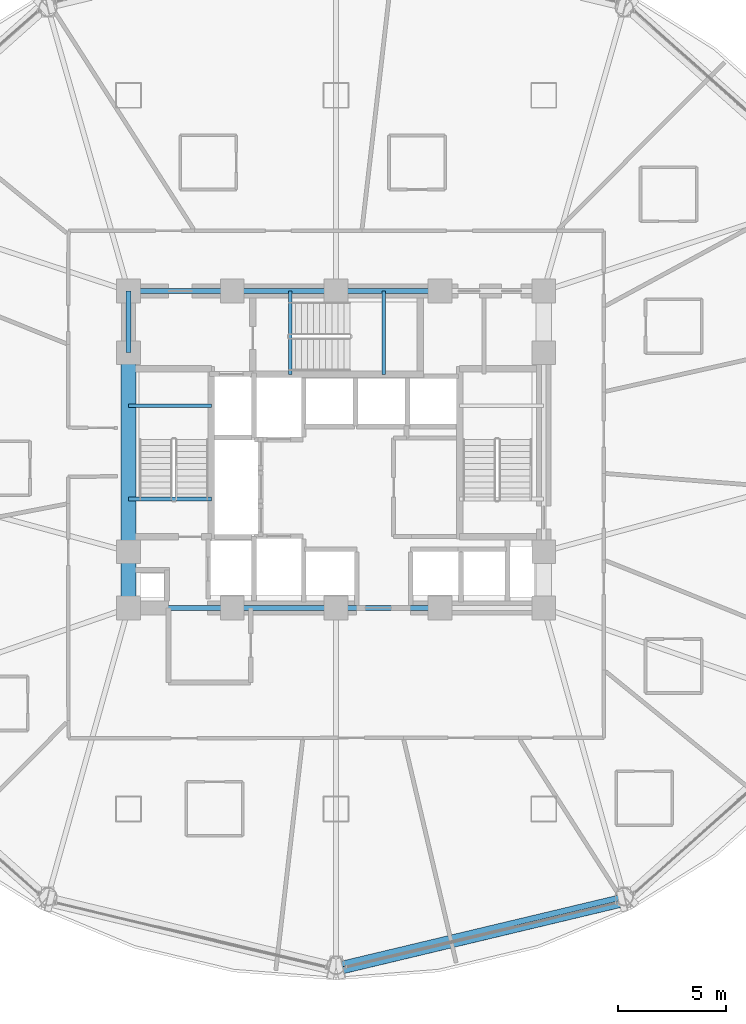
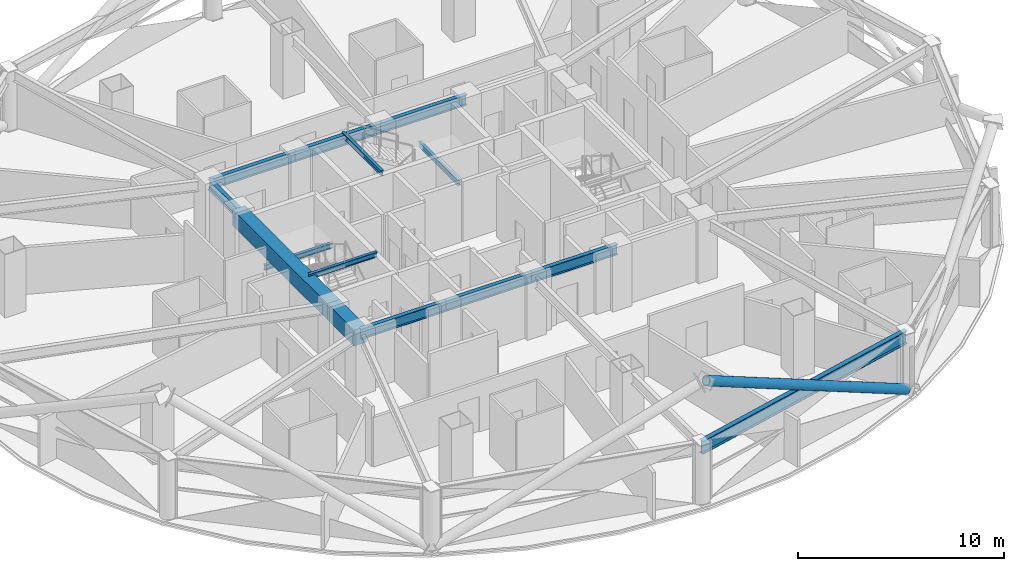
# One storey, part 9 of 31: 14 beams, 1 member.
"""IFC4 building model written with IfcOpenShell, lengths in metres."""

from ifc_helpers import new_model, si_unit, direction, frame, origin, origin_2d, place, context, subcontext, project, spatial, rectangle, hollow_circle, i_section, extrude, material, material_profile, profile_set, type_object, element, save


model = new_model("IFC4")

# Units and contexts
model_context = context("Model", 3, precision=1e-05, world=origin(), true_north=direction((0.0, 1.0)))
body_context = subcontext(model_context, "Body", "Model", "MODEL_VIEW")
ifc_project = project(units=[si_unit("LENGTHUNIT", "METRE"), si_unit("AREAUNIT", "SQUARE_METRE"), si_unit("VOLUMEUNIT", "CUBIC_METRE"), si_unit("PLANEANGLEUNIT", "RADIAN"), si_unit("MASSUNIT", "GRAM", prefix="KILO")], contexts=[model_context])

# Site, building, storey
site_placement = place(None, origin())
site = spatial("IfcSite", under=ifc_project, at=site_placement, CompositionType="ELEMENT")
building_placement = place(site_placement, origin())
building = spatial("IfcBuilding", under=site, at=building_placement, Name="Vantalir Tower", CompositionType="ELEMENT")
storey_placement = place(building_placement, frame((0.0, 0.0, 42.0)))
storey = spatial("IfcBuildingStorey", under=building, at=storey_placement, Name="L09", CompositionType="ELEMENT", Elevation=42.0)

# Beams
ifc_material_1 = material(Name="Concrete C60/75", Category="concrete")
ifc_material_profile_1 = material_profile(ifc_material_1, rectangle(XDim=0.699951171875, YDim=0.949951171875, at=origin_2d()), Name="Concrete C60/75")
ifc_profile_set_1 = profile_set([ifc_material_profile_1], Name="Concrete C60/75")
beam_type_1 = type_object("IfcBeamType", Name="BM-CB-700x950", PredefinedType="USERDEFINED", material=ifc_profile_set_1)
beam_1_placement = place(storey_placement, frame((21.89990234375, 29.60009765625, 3.094970703125), z_axis=(0.0, -1.0, 0.0), x_axis=(1.0, 0.0, 0.0)))
element("IfcBeam", 1, at=beam_1_placement, inside=storey, type_object=beam_type_1, Name="L09 Core Coupling Girder 13", ObjectType="GIRDER", PredefinedType="USERDEFINED", context=body_context, shape_type="SweptSolid", body=[
    extrude(rectangle(XDim=0.699951171875, YDim=0.949951171875, at=origin_2d()), origin(), (0.0, 0.0, 1.0), 9.2001953125),
])
beam_2_placement = place(storey_placement, frame((21.89990234375, 20.39990234375, 3.094970703125), z_axis=(0.0, -1.0, 0.0), x_axis=(1.0, 0.0, 0.0)))
element("IfcBeam", 2, at=beam_2_placement, inside=storey, type_object=beam_type_1, Name="L09 Core Coupling Girder 14", ObjectType="GIRDER", PredefinedType="USERDEFINED", context=body_context, shape_type="SweptSolid", body=[
    extrude(rectangle(XDim=0.699951171875, YDim=0.949951171875, at=origin_2d()), origin(), (0.0, 0.0, 1.0), 2.599853515625),
])
ifc_material_2 = material(Name="Steel S355", Category="steel")
ifc_material_profile_2 = material_profile(ifc_material_2, i_section(OverallWidth=0.166015625, OverallDepth=0.306884765625, WebThickness=0.006591796875, FlangeThickness=0.01171875, at=origin_2d()), Name="Steel S355")
ifc_profile_set_2 = profile_set([ifc_material_profile_2], Name="Steel S355")
beam_type_2 = type_object("IfcBeamType", Name="BM-JS-305x165", PredefinedType="JOIST", material=ifc_profile_set_2)
for number, where, z_axis, x_axis, name in (
    (3, (21.89990234375, 22.8349609375, 3.595947265625), (1.0, 0.0, 0.0), (0.0, 1.0, 0.0), "L10 Stair ST1 Well Nosing Trimmer Beam"),
    (4, (21.89990234375, 27.14501953125, 1.52099609375), (1.0, 0.0, 0.0), (0.0, 1.0, 0.0), "L09 Stair ST1 Half-Landing Support Beam"),
):
    element("IfcBeam", number, at=place(storey_placement, frame(where, z_axis=z_axis, x_axis=x_axis)), inside=storey, type_object=beam_type_2, Name=name, PredefinedType="JOIST", context=body_context, shape_type="SweptSolid", body=[
        extrude(i_section(OverallWidth=0.166015625, OverallDepth=0.306884765625, WebThickness=0.006591796875, FlangeThickness=0.01171875, at=origin_2d()), origin(), (0.0, 0.0, 1.0), 3.840087890625),
    ])
for number, where, z_axis, x_axis, name in (
    (5, (29.385009765625, 28.60009765625, 3.595947265625), (0.0, 1.0, 0.0), (-1.0, 0.0, 0.0), "L10 Stair ST3 Well Nosing Trimmer Beam"),
    (6, (33.695068359375, 28.60009765625, 1.52099609375), (0.0, 1.0, 0.0), (-1.0, 0.0, 0.0), "L09 Stair ST3 Half-Landing Support Beam"),
):
    element("IfcBeam", number, at=place(storey_placement, frame(where, z_axis=z_axis, x_axis=x_axis)), inside=storey, type_object=beam_type_2, Name=name, PredefinedType="JOIST", context=body_context, shape_type="SweptSolid", body=[
        extrude(i_section(OverallWidth=0.166015625, OverallDepth=0.306884765625, WebThickness=0.006591796875, FlangeThickness=0.01171875, at=origin_2d()), origin(), (0.0, 0.0, 1.0), 3.849853515625),
    ])
ifc_material_profile_3 = material_profile(ifc_material_2, i_section(OverallWidth=0.22998046875, OverallDepth=0.616943359375, WebThickness=0.01318359375, FlangeThickness=0.022216796875, at=origin_2d()), Name="Steel S355")
ifc_profile_set_3 = profile_set([ifc_material_profile_3], Name="Steel S355")
beam_type_3 = type_object("IfcBeamType", Name="BM-RB-610x229", PredefinedType="BEAM", material=ifc_profile_set_3)
for number, where, z_axis, x_axis, name in (
    (7, (21.89990234375, 17.800048828125, 3.261962890625), (1.0, 0.0, 0.0), (0.0, 1.0, 0.0), "L09 Core Coupling Girder 01"),
    (8, (26.699951171875, 17.800048828125, 3.261962890625), (1.0, 0.0, 0.0), (0.0, 1.0, 0.0), "L09 Core Coupling Girder 02"),
    (9, (31.5, 17.800048828125, 3.261962890625), (1.0, 0.0, 0.0), (0.0, 1.0, 0.0), "L09 Core Coupling Girder 03"),
    (10, (36.300048828125, 32.449951171875, 3.261962890625), (-1.0, 0.0, 0.0), (0.0, -1.0, 0.0), "L09 Core Coupling Girder 09"),
    (11, (31.5, 32.449951171875, 3.261962890625), (-1.0, 0.0, 0.0), (0.0, -1.0, 0.0), "L09 Core Coupling Girder 10"),
    (12, (26.699951171875, 32.449951171875, 3.261962890625), (-1.0, 0.0, 0.0), (0.0, -1.0, 0.0), "L09 Core Coupling Girder 11"),
):
    element("IfcBeam", number, at=place(storey_placement, frame(where, z_axis=z_axis, x_axis=x_axis)), inside=storey, type_object=beam_type_3, Name=name, PredefinedType="BEAM", context=body_context, shape_type="SweptSolid", body=[
        extrude(i_section(OverallWidth=0.22998046875, OverallDepth=0.616943359375, WebThickness=0.01318359375, FlangeThickness=0.022216796875, at=origin_2d()), origin(), (0.0, 0.0, 1.0), 4.800048828125),
    ])
beam_3_placement = place(storey_placement, frame((21.89990234375, 32.449951171875, 3.261962890625), z_axis=(0.0, -1.0, 0.0), x_axis=(1.0, 0.0, 0.0)))
element("IfcBeam", 13, at=beam_3_placement, inside=storey, type_object=beam_type_3, Name="L09 Core Coupling Girder 12", PredefinedType="BEAM", context=body_context, shape_type="SweptSolid", body=[
    extrude(i_section(OverallWidth=0.22998046875, OverallDepth=0.616943359375, WebThickness=0.01318359375, FlangeThickness=0.022216796875, at=origin_2d()), origin(), (0.0, 0.0, 1.0), 2.849853515625),
])
ifc_material_3 = material(Name="Steel S460", Category="steel")
ifc_material_profile_4 = material_profile(ifc_material_3, i_section(OverallWidth=0.26806640625, OverallDepth=0.77001953125, WebThickness=0.015625, FlangeThickness=0.025390625, at=origin_2d()), Name="Steel S460")
ifc_profile_set_4 = profile_set([ifc_material_profile_4], Name="Steel S460")
beam_type_4 = type_object("IfcBeamType", Name="BM-RG-762x267", PredefinedType="USERDEFINED", material=ifc_profile_set_4)
beam_4_placement = place(storey_placement, frame((31.5, 1.27392578125, 3.18505859375), z_axis=(0.972682503887, 0.232139498215, 0.0), x_axis=(-0.232139498215, 0.972682503887, 0.0)))
element("IfcBeam", 14, at=beam_4_placement, inside=storey, type_object=beam_type_4, Name="L09 Circumferential Ring Girder 10", ObjectType="GIRDER", PredefinedType="USERDEFINED", context=body_context, shape_type="SweptSolid", body=[
    extrude(i_section(OverallWidth=0.26806640625, OverallDepth=0.77001953125, WebThickness=0.015625, FlangeThickness=0.025390625, at=origin_2d()), origin(), (0.0, 0.0, 1.0), 13.694091796875),
])

# Member
ifc_material_profile_5 = material_profile(ifc_material_3, hollow_circle(Radius=0.27001953125, WallThickness=0.044921875, at=origin_2d()), Name="Steel S460")
ifc_profile_set_5 = profile_set([ifc_material_profile_5], Name="Steel S460")
member_type = type_object("IfcMemberType", Name="MEM-DB-540x45", PredefinedType="BRACE", material=ifc_profile_set_5)
member_placement = place(storey_placement, frame((44.72509765625, 4.242919921875, 0.180908203125), z_axis=(-0.863224616441, -0.206218721582, 0.460778797733), x_axis=(0.23235519219, -0.972631001286, 0.0)))
element("IfcMember", 15, at=member_placement, inside=storey, type_object=member_type, Name="L09 Perimeter S460 Diagrid Brace R31R", PredefinedType="BRACE", context=body_context, shape_type="SweptSolid", body=[
    extrude(hollow_circle(Radius=0.27001953125, WallThickness=0.044921875, at=origin_2d()), origin(), (0.0, 0.0, 1.0), 15.1005859375),
])

save(model, "model.ifc")
